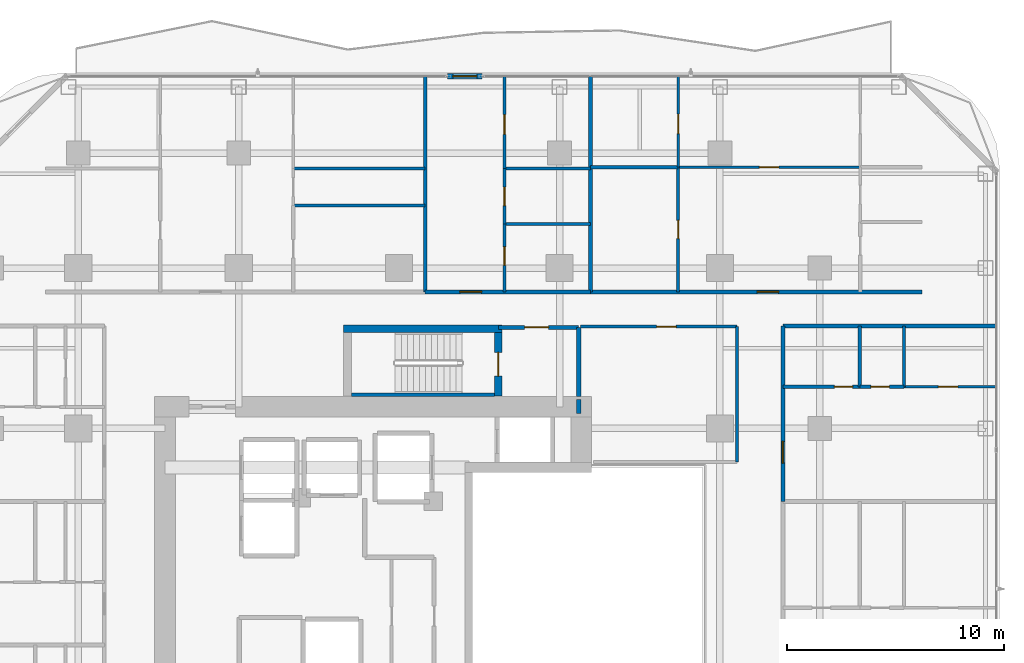
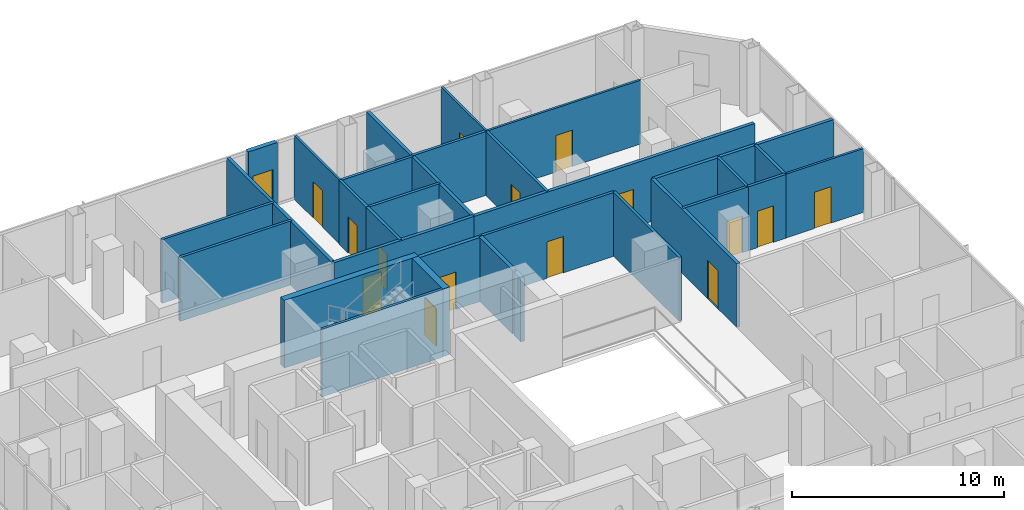
# One storey, part 22 of 29: 31 walls, 16 doors, 16 openings.
"""IFC4 building model written with IfcOpenShell, lengths in metres."""

import ifcopenshell
import ifcopenshell.guid

model = None  # the IFC model being written
_history = None  # IfcOwnerHistory: only IFC2X3 demands one
_inside = {}  # id of a spatial element -> (the spatial element, [elements in it])
_under = {}  # id of a project, library or spatial element -> (it, [spatial elements below it])
_declared = {}  # id of a project -> (the project, [libraries it declares])
_typed = {}  # id of a type object -> (the type object, [elements of that type])
_made_of = {}  # id of a material, layer set ... -> (it, [elements and type objects made of it])


def new_model(schema):
    """Start an empty IFC model of exactly this schema.

    Asked for "IFC4X3", IfcOpenShell would pick the latest addendum, in which some entities
    have other attributes; the version numbers below select the first issue.
    IFC2X3 requires an IfcOwnerHistory on every rooted entity: one is made here for all.
    """
    global model, _history
    if schema == "IFC4X3":
        model = ifcopenshell.file(schema_version=(4, 3, 0, 0))
    else:
        model = ifcopenshell.file(schema=schema)
    _inside.clear()
    _under.clear()
    _declared.clear()
    _typed.clear()
    _made_of.clear()
    _history = None
    if model.schema == "IFC2X3":
        org = make("IfcOrganization", Name="unknown")
        user = make(
            "IfcPersonAndOrganization",
            ThePerson=make("IfcPerson", FamilyName="unknown"),
            TheOrganization=org,
        )
        app = make(
            "IfcApplication",
            ApplicationDeveloper=org,
            Version="unknown",
            ApplicationFullName="unknown",
            ApplicationIdentifier="unknown",
        )
        _history = make(
            "IfcOwnerHistory",
            OwningUser=user,
            OwningApplication=app,
            ChangeAction="ADDED",
            CreationDate=0,
        )
    return model


def make(cls, **values):
    """One entity of the class cls with the attributes given. An attribute that is None is left unset."""
    return model.create_entity(
        cls, **{name: value for name, value in values.items() if value is not None}
    )


def rooted(cls, **values):
    """An entity with a GlobalId (a new one), such as an element, a storey or a relation."""
    return make(cls, GlobalId=ifcopenshell.guid.new(), OwnerHistory=_history, **values)


def si_unit(unit_type, name, prefix=None):
    """IfcSIUnit, for example si_unit("LENGTHUNIT", "METRE", prefix="MILLI")."""
    return make("IfcSIUnit", UnitType=unit_type, Prefix=prefix, Name=name)


def assignment(units):
    """IfcUnitAssignment: the units of a project."""
    return None if units is None else make("IfcUnitAssignment", Units=units)


def point(xyz):
    """IfcCartesianPoint."""
    return None if xyz is None else make("IfcCartesianPoint", Coordinates=xyz)


def direction(xyz):
    """IfcDirection."""
    return None if xyz is None else make("IfcDirection", DirectionRatios=xyz)


def frame(location, z_axis=None, x_axis=None):
    """IfcAxis2Placement3D, a coordinate frame: its origin and axes. An axis left out is left unset."""
    return make(
        "IfcAxis2Placement3D",
        Location=point(location),
        Axis=direction(z_axis),
        RefDirection=direction(x_axis),
    )


def frame_2d(location, x_axis=None):
    """IfcAxis2Placement2D, a coordinate frame in the plane: its origin and x axis."""
    return make(
        "IfcAxis2Placement2D", Location=point(location), RefDirection=direction(x_axis)
    )


def origin():
    """The frame at (0, 0, 0) with its axes left unset."""
    return frame((0.0, 0.0, 0.0))


def place(relative_to, where):
    """IfcLocalPlacement: puts the frame where relative to a parent placement (None: the world)."""
    return make(
        "IfcLocalPlacement", PlacementRelTo=relative_to, RelativePlacement=where
    )


def context(
    kind, dimensions, precision=None, world=None, true_north=None, identifier=None
):
    """IfcGeometricRepresentationContext, for example the 3D "Model" context."""
    return make(
        "IfcGeometricRepresentationContext",
        ContextIdentifier=identifier,
        ContextType=kind,
        CoordinateSpaceDimension=dimensions,
        Precision=precision,
        WorldCoordinateSystem=world,
        TrueNorth=true_north,
    )


def subcontext(parent, identifier, kind, view, scale=None):
    """IfcGeometricRepresentationSubContext, for example "Body" below "Model"."""
    return make(
        "IfcGeometricRepresentationSubContext",
        ContextIdentifier=identifier,
        ContextType=kind,
        ParentContext=parent,
        TargetScale=scale,
        TargetView=view,
    )


def project(units=None, contexts=None):
    """IfcProject with its units and contexts."""
    return rooted(
        "IfcProject",
        Name="project",
        RepresentationContexts=contexts,
        UnitsInContext=assignment(units),
    )


def spatial(cls, under=None, at=None, **own):
    """A site, building, storey or space (cls), placed at a placement, below another one or the project."""
    s = rooted(cls, ObjectPlacement=at, **own)
    if under is not None:
        _under.setdefault(under.id(), (under, []))[1].append(s)
    return s


def profile(cls, at=None, kind="AREA", **sizes):
    """A parametric profile (cls). Its sizes go by their IFC names, for example OverallWidth=200.0."""
    return make(cls, ProfileType=kind, Position=at, **sizes)


def rectangle(**sizes):
    """IfcRectangleProfileDef."""
    return profile("IfcRectangleProfileDef", **sizes)


def extrude(swept, where, along, depth):
    """IfcExtrudedAreaSolid: the profile swept, set in the frame where, extruded along a direction by depth."""
    return make(
        "IfcExtrudedAreaSolid",
        SweptArea=swept,
        Position=where,
        ExtrudedDirection=direction(along),
        Depth=depth,
    )


def shape(context_of_items, identifier, shape_type, items):
    """IfcShapeRepresentation: the items that make up one representation, for example the "Body"."""
    return make(
        "IfcShapeRepresentation",
        ContextOfItems=context_of_items,
        RepresentationIdentifier=identifier,
        RepresentationType=shape_type,
        Items=items,
    )


def material(Name=None, Category=None):
    """IfcMaterial."""
    return make("IfcMaterial", Name=Name, Category=Category)


def layer(
    of_material, thickness, ventilated=None, Name=None, Category=None, Priority=None
):
    """IfcMaterialLayer: one layer of a wall or slab, of a material (None: an air gap)."""
    return make(
        "IfcMaterialLayer",
        Material=of_material,
        LayerThickness=thickness,
        IsVentilated=ventilated,
        Name=Name,
        Category=Category,
        Priority=Priority,
    )


def layer_set(layers, Name=None):
    """IfcMaterialLayerSet."""
    return make("IfcMaterialLayerSet", MaterialLayers=layers, LayerSetName=Name)


def made_of(thing, what):
    """Note that an element or type object is made of a material, layer set ...; save() writes the relation."""
    if what is not None:
        _made_of.setdefault(what.id(), (what, []))[1].append(thing)
    return thing


def type_object(cls, material=None, **own):
    """A type object (cls), such as IfcWallType, which elements share."""
    return made_of(rooted(cls, **own), material)


def element(
    cls,
    number,
    at=None,
    inside=None,
    cuts=None,
    type_object=None,
    material=None,
    context=None,
    identifier="Body",
    shape_type=None,
    held_by="IfcProductDefinitionShape",
    body=None,
    shapes=None,
    **own,
):
    """One element of the class cls, such as IfcWall. Its Tag is "e" and its number.

    at: its placement. inside: the storey or other place that contains it. cuts: it is an
    opening in that element (IfcRelVoidsElement). A single representation is given by context,
    identifier, shape_type and body (its items); several are given by shapes. held_by: the class
    of the entity that holds the representations. save() writes the other relations.
    """
    e = rooted(cls, Tag="e%d" % number, ObjectPlacement=at, **own)
    if body is not None:
        shapes = [shape(context, identifier, shape_type, body)]
    if shapes is not None:
        e.Representation = make(held_by, Representations=shapes)
    if inside is not None:
        _inside.setdefault(inside.id(), (inside, []))[1].append(e)
    if cuts is not None:
        rooted(
            "IfcRelVoidsElement", RelatingBuildingElement=cuts, RelatedOpeningElement=e
        )
    if type_object is not None:
        _typed.setdefault(type_object.id(), (type_object, []))[1].append(e)
    return made_of(e, material)


def fill(opening, filler):
    """IfcRelFillsElement: the door or window that sits in an opening."""
    return rooted(
        "IfcRelFillsElement",
        RelatingOpeningElement=opening,
        RelatedBuildingElement=filler,
    )


def aggregate(whole, parts):
    """IfcRelAggregates: a whole, such as a stair, and the parts it consists of."""
    return rooted("IfcRelAggregates", RelatingObject=whole, RelatedObjects=parts)


def save(model, path):
    """Write the relations noted so far, then the file.

    IfcRelAggregates (storeys below a building ...), IfcRelContainedInSpatialStructure (elements
    in a storey), IfcRelDefinesByType, IfcRelAssociatesMaterial and IfcRelDeclares: one each for
    every whole, place, type object, material and project.
    """
    for whole, parts in _under.values():
        aggregate(whole, parts)
    for where, things in _inside.values():
        rooted(
            "IfcRelContainedInSpatialStructure",
            RelatedElements=things,
            RelatingStructure=where,
        )
    for kind, things in _typed.values():
        rooted("IfcRelDefinesByType", RelatedObjects=things, RelatingType=kind)
    for what, things in _made_of.values():
        rooted("IfcRelAssociatesMaterial", RelatedObjects=things, RelatingMaterial=what)
    for by, libraries in _declared.values():
        rooted("IfcRelDeclares", RelatingContext=by, RelatedDefinitions=libraries)
    model.write(path)


model = new_model("IFC4")

# Units and contexts
model_context = context("Model", 3, precision=1e-05, world=origin(), true_north=direction((0.0, 1.0)))
body_context = subcontext(model_context, "Body", "Model", "MODEL_VIEW")
ifc_project = project(units=[si_unit("LENGTHUNIT", "METRE"), si_unit("AREAUNIT", "SQUARE_METRE"), si_unit("VOLUMEUNIT", "CUBIC_METRE"), si_unit("PLANEANGLEUNIT", "RADIAN"), si_unit("MASSUNIT", "GRAM", prefix="KILO")], contexts=[model_context])

# Site, building, storey
site_placement = place(None, origin())
site = spatial("IfcSite", under=ifc_project, at=site_placement, CompositionType="ELEMENT")
building_placement = place(site_placement, origin())
building = spatial("IfcBuilding", under=site, at=building_placement, Name="Khorvyn Point Tower", CompositionType="ELEMENT")
storey_placement = place(building_placement, frame((0.0, 0.0, 144.60009765625)))
storey = spatial("IfcBuildingStorey", under=building, at=storey_placement, Name="L36", CompositionType="ELEMENT", Elevation=144.60009765625)

# Wall, opening, door
ifc_material_1 = material(Name="Double acoustic gypsum on twin steel stud", Category="steel")
ifc_layer_1 = layer(ifc_material_1, 0.179931640625)
ifc_layer_set_1 = layer_set([ifc_layer_1], Name="Acoustic Double-Stud Apartment Demising Wall 180")
wall_type_1 = type_object("IfcWallType", Name="Acoustic Double-Stud Apartment Demising Wall 180", PredefinedType="PARTITIONING", material=ifc_layer_set_1)
wall_1_placement = place(storey_placement, frame((1.2041015625, 13.699951171875, 0.0), z_axis=(0.0, 0.0, 1.0), x_axis=(1.0, 0.0, 0.0)))
wall_1 = element("IfcWall", 1, at=wall_1_placement, inside=storey, type_object=wall_type_1, Name="Wall", PredefinedType="PARTITIONING", context=body_context, shape_type="SweptSolid", body=[
    extrude(rectangle(XDim=7.615966796875, YDim=0.179931640625, at=frame_2d((3.80810546875, 0.0))), origin(), (0.0, 0.0, 1.0), 3.679931640625),
])
opening_1_placement = place(wall_1_placement, frame((1.59912109375, 0.0, 0.0)))
opening_1 = element("IfcOpeningElement", 2, at=opening_1_placement, cuts=wall_1, Name="Opening ID-AP60", PredefinedType="OPENING", context=body_context, shape_type="SweptSolid", body=[
    extrude(rectangle(XDim=1.0, YDim=2.199951171875, at=frame_2d((0.5, 1.10009765625))), frame((0.0, 0.099853515625, 0.0), z_axis=(0.0, -1.0, 0.0), x_axis=(1.0, 0.0, 0.0)), (0.0, 0.0, 1.0), 0.199951171875),
])
ifc_material_2 = material(Name="Engineered hardwood fire-rated leaf", Category="wood")
door_type_1 = type_object("IfcDoorType", Name="Acoustic Solid-Core Timber Apartment Entrance Door 1000x2200", OperationType="NOTDEFINED", PredefinedType="DOOR", material=ifc_material_2)
door_1_placement = place(opening_1_placement, origin())
door_1 = element("IfcDoor", 3, at=door_1_placement, inside=storey, type_object=door_type_1, Name="Door", OperationType="SINGLE_SWING_RIGHT", OverallHeight=2.199951171875, OverallWidth=1.0, PredefinedType="DOOR", context=body_context, shape_type="SweptSolid", body=[
    extrude(rectangle(XDim=1.0, YDim=2.199951171875, at=frame_2d((0.5, 1.10009765625))), frame((0.0, 0.02490234375, 0.0), z_axis=(0.0, -1.0, 0.0), x_axis=(1.0, 0.0, 0.0)), (0.0, 0.0, 1.0), 0.050048828125),
])
fill(opening_1, door_1)

wall_2_placement = place(storey_placement, frame((8.820068359375, 13.699951171875, 0.0), z_axis=(0.0, 0.0, 1.0), x_axis=(1.0, 0.0, 0.0)))
wall_2 = element("IfcWall", 4, at=wall_2_placement, inside=storey, type_object=wall_type_1, Name="Wall", PredefinedType="PARTITIONING", context=body_context, shape_type="SweptSolid", body=[
    extrude(rectangle(XDim=15.300048828125, YDim=0.179931640625, at=frame_2d((7.64990234375, 0.0))), origin(), (0.0, 0.0, 1.0), 3.679931640625),
])
opening_2_placement = place(wall_2_placement, frame((7.687744140625, 0.0, 0.0)))
opening_2 = element("IfcOpeningElement", 5, at=opening_2_placement, cuts=wall_2, Name="Opening ID-AP60", PredefinedType="OPENING", context=body_context, shape_type="SweptSolid", body=[
    extrude(rectangle(XDim=1.0, YDim=2.199951171875, at=frame_2d((0.5, 1.10009765625))), frame((0.0, 0.099853515625, 0.0), z_axis=(0.0, -1.0, 0.0), x_axis=(1.0, 0.0, 0.0)), (0.0, 0.0, 1.0), 0.199951171875),
])
door_2_placement = place(opening_2_placement, origin())
door_2 = element("IfcDoor", 6, at=door_2_placement, inside=storey, type_object=door_type_1, Name="Door", OperationType="SINGLE_SWING_RIGHT", OverallHeight=2.199951171875, OverallWidth=1.0, PredefinedType="DOOR", context=body_context, shape_type="SweptSolid", body=[
    extrude(rectangle(XDim=1.0, YDim=2.199951171875, at=frame_2d((0.5, 1.10009765625))), frame((0.0, 0.02490234375, 0.0), z_axis=(0.0, -1.0, 0.0), x_axis=(1.0, 0.0, 0.0)), (0.0, 0.0, 1.0), 0.050048828125),
])
fill(opening_2, door_2)

wall_3_placement = place(storey_placement, frame((17.699951171875, 4.0400390625, 0.0), z_axis=(0.0, 0.0, 1.0), x_axis=(0.0, 1.0, 0.0)))
wall_3 = element("IfcWall", 7, at=wall_3_placement, inside=storey, type_object=wall_type_1, Name="Wall", PredefinedType="PARTITIONING", context=body_context, shape_type="SweptSolid", body=[
    extrude(rectangle(XDim=8.080078125, YDim=0.179931640625, at=frame_2d((4.0400390625, 0.0))), origin(), (0.0, 0.0, 1.0), 3.679931640625),
])
opening_3_placement = place(wall_3_placement, frame((1.760986328125, 0.0, 0.0)))
opening_3 = element("IfcOpeningElement", 8, at=opening_3_placement, cuts=wall_3, Name="Opening ID-AP60", PredefinedType="OPENING", context=body_context, shape_type="SweptSolid", body=[
    extrude(rectangle(XDim=1.0, YDim=2.199951171875, at=frame_2d((0.5, 1.10009765625))), frame((0.0, 0.099853515625, 0.0), z_axis=(0.0, -1.0, 0.0), x_axis=(1.0, 0.0, 0.0)), (0.0, 0.0, 1.0), 0.199951171875),
])
door_3_placement = place(opening_3_placement, origin())
door_3 = element("IfcDoor", 9, at=door_3_placement, inside=storey, type_object=door_type_1, Name="Door", OperationType="SINGLE_SWING_LEFT", OverallHeight=2.199951171875, OverallWidth=1.0, PredefinedType="DOOR", context=body_context, shape_type="SweptSolid", body=[
    extrude(rectangle(XDim=1.0, YDim=2.199951171875, at=frame_2d((0.5, 1.10009765625))), frame((0.0, 0.02490234375, 0.0), z_axis=(0.0, -1.0, 0.0), x_axis=(1.0, 0.0, 0.0)), (0.0, 0.0, 1.0), 0.050048828125),
])
fill(opening_3, door_3)

# Walls
for number, where, z_axis, x_axis, name in (
    (10, (1.2041015625, 13.699951171875, 0.0), (0.0, 0.0, 1.0), (0.0, 1.0, 0.0), "Wall"),
    (11, (8.820068359375, 13.699951171875, 0.0), (0.0, 0.0, 1.0), (0.0, 1.0, 0.0), "Wall"),
):
    element("IfcWall", number, at=place(storey_placement, frame(where, z_axis=z_axis, x_axis=x_axis)), inside=storey, type_object=wall_type_1, Name=name, PredefinedType="PARTITIONING", context=body_context, shape_type="SweptSolid", body=[
        extrude(rectangle(XDim=9.929931640625, YDim=0.179931640625, at=frame_2d((4.96484375, 0.0))), origin(), (0.0, 0.0, 1.0), 3.679931640625),
    ])
wall_4_placement = place(storey_placement, frame((17.699951171875, 12.1201171875, 0.0), z_axis=(0.0, 0.0, 1.0), x_axis=(1.0, 0.0, 0.0)))
element("IfcWall", 12, at=wall_4_placement, inside=storey, type_object=wall_type_1, Name="Wall", PredefinedType="PARTITIONING", context=body_context, shape_type="SweptSolid", body=[
    extrude(rectangle(XDim=9.830078125, YDim=0.179931640625, at=frame_2d((4.9150390625, 0.0))), origin(), (0.0, 0.0, 1.0), 3.679931640625),
])

# Wall, opening, door
ifc_material_3 = material(Name="Pale anodised aluminium rainscreen on steel stud", Category="steel")
ifc_layer_2 = layer(ifc_material_3, 0.239990234375)
ifc_layer_set_2 = layer_set([ifc_layer_2], Name="Anodised Aluminium Insulated Corner Spandrel Wall 240")
wall_type_2 = type_object("IfcWallType", Name="Anodised Aluminium Insulated Corner Spandrel Wall 240", PredefinedType="SOLIDWALL", material=ifc_layer_set_2)
wall_5_placement = place(storey_placement, frame((2.241943359375, 23.64990234375, 0.0), z_axis=(0.0, 0.0, 1.0), x_axis=(1.0, 0.0, 0.0)))
wall_5 = element("IfcWall", 13, at=wall_5_placement, inside=storey, type_object=wall_type_2, Name="L36 North Outdoor Threshold Wall", PredefinedType="SOLIDWALL", context=body_context, shape_type="SweptSolid", body=[
    extrude(rectangle(XDim=1.580078125, YDim=0.239990234375, at=frame_2d((0.7900390625, 0.0))), origin(), (0.0, 0.0, 1.0), 3.679931640625),
])
opening_4_placement = place(wall_5_placement, frame((0.239990234375, 0.0, 0.0)))
opening_4 = element("IfcOpeningElement", 14, at=opening_4_placement, cuts=wall_5, Name="Opening BD-1122", PredefinedType="OPENING", context=body_context, shape_type="SweptSolid", body=[
    extrude(rectangle(XDim=1.10009765625, YDim=2.199951171875, at=frame_2d((0.550048828125, 1.10009765625))), frame((0.0, 0.1298828125, 0.0), z_axis=(0.0, -1.0, 0.0), x_axis=(1.0, 0.0, 0.0)), (0.0, 0.0, 1.0), 0.260009765625),
])
ifc_material_4 = material(Name="Anodised aluminium 6063-T6 and laminated Low-E glass", Category="aluminium")
door_type_2 = type_object("IfcDoorType", Name="Glazed Balcony and Terrace Threshold Door 1100x2200", OperationType="NOTDEFINED", PredefinedType="DOOR", material=ifc_material_4)
door_4_placement = place(opening_4_placement, origin())
door_4 = element("IfcDoor", 15, at=door_4_placement, inside=storey, type_object=door_type_2, Name="L36 North Glazed Balcony Outdoor Door", OperationType="SINGLE_SWING_LEFT", OverallHeight=2.199951171875, OverallWidth=1.10009765625, PredefinedType="DOOR", context=body_context, shape_type="SweptSolid", body=[
    extrude(rectangle(XDim=1.10009765625, YDim=2.199951171875, at=frame_2d((0.550048828125, 1.10009765625))), frame((0.0, 0.02490234375, 0.0), z_axis=(0.0, -1.0, 0.0), x_axis=(1.0, 0.0, 0.0)), (0.0, 0.0, 1.0), 0.050048828125),
])
fill(opening_4, door_4)

ifc_material_5 = material(Name="Concrete C40/50", Category="concrete")
ifc_layer_3 = layer(ifc_material_5, 0.199951171875)
ifc_layer_set_3 = layer_set([ifc_layer_3], Name="Concrete C40/50 Fire-Lobby Compartment Wall 200")
wall_type_3 = type_object("IfcWallType", Name="Concrete C40/50 Fire-Lobby Compartment Wall 200", PredefinedType="SOLIDWALL", material=ifc_layer_set_3)
wall_6_placement = place(storey_placement, frame((4.580078125, 12.06005859375, 0.0), z_axis=(0.0, 0.0, 1.0), x_axis=(1.0, 0.0, 0.0)))
wall_6 = element("IfcWall", 16, at=wall_6_placement, inside=storey, type_object=wall_type_3, Name="Wall", PredefinedType="SOLIDWALL", context=body_context, shape_type="SweptSolid", body=[
    extrude(rectangle(XDim=3.699951171875, YDim=0.199951171875, at=frame_2d((1.85009765625, 0.0))), origin(), (0.0, 0.0, 1.0), 3.679931640625),
])
opening_5_placement = place(wall_6_placement, frame((1.21240234375, 0.0, 0.0)))
opening_5 = element("IfcOpeningElement", 17, at=opening_5_placement, cuts=wall_6, Name="Opening ID-FL90", PredefinedType="OPENING", context=body_context, shape_type="SweptSolid", body=[
    extrude(rectangle(XDim=1.10009765625, YDim=2.14990234375, at=frame_2d((0.550048828125, 1.074951171875))), frame((0.0, 0.10986328125, 0.0), z_axis=(0.0, -1.0, 0.0), x_axis=(1.0, 0.0, 0.0)), (0.0, 0.0, 1.0), 0.219970703125),
])
ifc_material_6 = material(Name="Galvanised powder-coated steel", Category="steel")
door_type_3 = type_object("IfcDoorType", Name="Fire-Rated Steel Lobby and Stair Door 1100x2150", OperationType="NOTDEFINED", PredefinedType="DOOR", material=ifc_material_6)
door_5_placement = place(opening_5_placement, origin())
door_5 = element("IfcDoor", 18, at=door_5_placement, inside=storey, type_object=door_type_3, Name="Door", OperationType="SINGLE_SWING_RIGHT", OverallHeight=2.14990234375, OverallWidth=1.10009765625, PredefinedType="DOOR", context=body_context, shape_type="SweptSolid", body=[
    extrude(rectangle(XDim=1.10009765625, YDim=2.14990234375, at=frame_2d((0.550048828125, 1.074951171875))), frame((0.0, 0.02490234375, 0.0), z_axis=(0.0, -1.0, 0.0), x_axis=(1.0, 0.0, 0.0)), (0.0, 0.0, 1.0), 0.050048828125),
])
fill(opening_5, door_5)

# Walls
wall_7_placement = place(storey_placement, frame((8.280029296875, 8.875, 0.0), z_axis=(0.0, 0.0, 1.0), x_axis=(0.0, 1.0, 0.0)))
element("IfcWall", 19, at=wall_7_placement, inside=storey, type_object=wall_type_3, Name="Wall", PredefinedType="SOLIDWALL", context=body_context, shape_type="SweptSolid", body=[
    extrude(rectangle(XDim=3.18505859375, YDim=0.199951171875, at=frame_2d((1.592529296875, 0.0))), origin(), (0.0, 0.0, 1.0), 3.679931640625),
])
wall_8_placement = place(storey_placement, frame((8.280029296875, 8.10009765625, 0.0), z_axis=(0.0, 0.0, 1.0), x_axis=(0.0, 1.0, 0.0)))
element("IfcWall", 20, at=wall_8_placement, inside=storey, type_object=wall_type_3, Name="Wall", PredefinedType="SOLIDWALL", context=body_context, shape_type="SweptSolid", body=[
    extrude(rectangle(XDim=0.625, YDim=0.199951171875, at=frame_2d((0.3125, 0.0))), origin(), (0.0, 0.0, 1.0), 3.679931640625),
])
ifc_layer_4 = layer(ifc_material_5, 0.25)
ifc_layer_set_4 = layer_set([ifc_layer_4], Name="Concrete C40/50 Stair Inner Cheek Structural Wall 250")
wall_type_4 = type_object("IfcWallType", Name="Concrete C40/50 Stair Inner Cheek Structural Wall 250", PredefinedType="SHEAR", material=ifc_layer_set_4)
wall_9_placement = place(storey_placement, frame((-2.199951171875, 8.949951171875, 0.0), z_axis=(0.0, 0.0, 1.0), x_axis=(1.0, 0.0, 0.0)))
element("IfcWall", 21, at=wall_9_placement, inside=storey, type_object=wall_type_4, Name="Wall", PredefinedType="SHEAR", context=body_context, shape_type="SweptSolid", body=[
    extrude(rectangle(XDim=6.599853515625, YDim=0.14990234375, at=frame_2d((3.2998046875, 0.0))), origin(), (0.0, 0.0, 1.0), 3.89990234375),
])
ifc_layer_5 = layer(ifc_material_5, 0.35009765625)
ifc_layer_set_5 = layer_set([ifc_layer_5], Name="Concrete C40/50 Stair Shaft Structural Wall 350")
wall_type_5 = type_object("IfcWallType", Name="Concrete C40/50 Stair Shaft Structural Wall 350", PredefinedType="SHEAR", material=ifc_layer_set_5)
wall_10_placement = place(storey_placement, frame((-2.554931640625, 12.0, 0.0), z_axis=(0.0, 0.0, 1.0), x_axis=(1.0, 0.0, 0.0)))
element("IfcWall", 22, at=wall_10_placement, inside=storey, type_object=wall_type_5, Name="L36 ST-02 North Shaft Wall", PredefinedType="SHEAR", context=body_context, shape_type="SweptSolid", body=[
    extrude(rectangle(XDim=7.309814453125, YDim=0.35009765625, at=frame_2d((3.65478515625, 0.0))), origin(), (0.0, 0.0, 1.0), 3.89990234375),
])

# Wall, opening, door
wall_11_placement = place(storey_placement, frame((4.580078125, 11.824951171875, 0.0), z_axis=(0.0, 0.0, 1.0), x_axis=(0.0, -1.0, 0.0)))
wall_11 = element("IfcWall", 23, at=wall_11_placement, inside=storey, type_object=wall_type_5, Name="L36 ST-02 East Landing Door Wall", PredefinedType="SHEAR", context=body_context, shape_type="SweptSolid", body=[
    extrude(rectangle(XDim=2.925048828125, YDim=0.35009765625, at=frame_2d((1.46240234375, 0.0))), origin(), (0.0, 0.0, 1.0), 3.89990234375),
])
opening_6_placement = place(wall_11_placement, frame((0.91259765625, 0.0, 0.0)))
opening_6 = element("IfcOpeningElement", 24, at=opening_6_placement, cuts=wall_11, Name="Opening ID-FL90", PredefinedType="OPENING", context=body_context, shape_type="SweptSolid", body=[
    extrude(rectangle(XDim=1.10009765625, YDim=2.14990234375, at=frame_2d((0.550048828125, 1.074951171875))), frame((0.0, 0.18505859375, 0.0), z_axis=(0.0, -1.0, 0.0), x_axis=(1.0, 0.0, 0.0)), (0.0, 0.0, 1.0), 0.3701171875),
])
door_6_placement = place(opening_6_placement, origin())
door_6 = element("IfcDoor", 25, at=door_6_placement, inside=storey, type_object=door_type_3, Name="L36 ST-02 Smokeproof Landing Door", OperationType="SINGLE_SWING_LEFT", OverallHeight=2.14990234375, OverallWidth=1.10009765625, PredefinedType="DOOR", context=body_context, shape_type="SweptSolid", body=[
    extrude(rectangle(XDim=1.10009765625, YDim=2.14990234375, at=frame_2d((0.550048828125, 1.074951171875))), frame((0.0, 0.02490234375, 0.0), z_axis=(0.0, -1.0, 0.0), x_axis=(1.0, 0.0, 0.0)), (0.0, 0.0, 1.0), 0.050048828125),
])
fill(opening_6, door_6)

ifc_material_7 = material(Name="Gypsum plasterboard on steel stud", Category="steel")
ifc_layer_6 = layer(ifc_material_7, 0.1201171875)
ifc_layer_set_6 = layer_set([ifc_layer_6], Name="Gypsum Acoustic Stud Room Partition Wall 120")
wall_type_6 = type_object("IfcWallType", Name="Gypsum Acoustic Stud Room Partition Wall 120", PredefinedType="PARTITIONING", material=ifc_layer_set_6)
wall_12_placement = place(storey_placement, frame((4.860107421875, 19.389892578125, 0.0), z_axis=(0.0, 0.0, 1.0), x_axis=(0.0, 1.0, 0.0)))
wall_12 = element("IfcWall", 26, at=wall_12_placement, inside=storey, type_object=wall_type_6, Name="Wall", PredefinedType="PARTITIONING", context=body_context, shape_type="SweptSolid", body=[
    extrude(rectangle(XDim=4.239990234375, YDim=0.1201171875, at=frame_2d((2.1201171875, 0.0))), origin(), (0.0, 0.0, 1.0), 3.679931640625),
])
opening_7_placement = place(wall_12_placement, frame((1.581298828125, 0.0, 0.0)))
opening_7 = element("IfcOpeningElement", 27, at=opening_7_placement, cuts=wall_12, Name="Opening ID-RM90", PredefinedType="OPENING", context=body_context, shape_type="SweptSolid", body=[
    extrude(rectangle(XDim=0.89990234375, YDim=2.10009765625, at=frame_2d((0.449951171875, 1.050048828125))), frame((0.0, 0.070068359375, 0.0), z_axis=(0.0, -1.0, 0.0), x_axis=(1.0, 0.0, 0.0)), (0.0, 0.0, 1.0), 0.14013671875),
])
ifc_material_8 = material(Name="Engineered oak veneer timber", Category="wood")
door_type_4 = type_object("IfcDoorType", Name="Flush Engineered Timber Room Door 900x2100", OperationType="NOTDEFINED", PredefinedType="DOOR", material=ifc_material_8)
door_7_placement = place(opening_7_placement, origin())
door_7 = element("IfcDoor", 28, at=door_7_placement, inside=storey, type_object=door_type_4, Name="Door", OperationType="SINGLE_SWING_LEFT", OverallHeight=2.10009765625, OverallWidth=0.89990234375, PredefinedType="DOOR", context=body_context, shape_type="SweptSolid", body=[
    extrude(rectangle(XDim=0.89990234375, YDim=2.10009765625, at=frame_2d((0.449951171875, 1.050048828125))), frame((0.0, 0.02490234375, 0.0), z_axis=(0.0, -1.0, 0.0), x_axis=(1.0, 0.0, 0.0)), (0.0, 0.0, 1.0), 0.050048828125),
])
fill(opening_7, door_7)

wall_13_placement = place(storey_placement, frame((12.865966796875, 19.455078125, 0.0), z_axis=(0.0, 0.0, 1.0), x_axis=(1.0, 0.0, 0.0)))
wall_13 = element("IfcWall", 29, at=wall_13_placement, inside=storey, type_object=wall_type_6, Name="Wall", PredefinedType="PARTITIONING", context=body_context, shape_type="SweptSolid", body=[
    extrude(rectangle(XDim=8.404052734375, YDim=0.1201171875, at=frame_2d((4.2021484375, 0.0))), origin(), (0.0, 0.0, 1.0), 3.679931640625),
])
opening_8_placement = place(wall_13_placement, frame((3.751953125, 0.0, 0.0)))
opening_8 = element("IfcOpeningElement", 30, at=opening_8_placement, cuts=wall_13, Name="Opening ID-RM90", PredefinedType="OPENING", context=body_context, shape_type="SweptSolid", body=[
    extrude(rectangle(XDim=0.89990234375, YDim=2.10009765625, at=frame_2d((0.449951171875, 1.050048828125))), frame((0.0, 0.070068359375, 0.0), z_axis=(0.0, -1.0, 0.0), x_axis=(1.0, 0.0, 0.0)), (0.0, 0.0, 1.0), 0.14013671875),
])
door_8_placement = place(opening_8_placement, origin())
door_8 = element("IfcDoor", 31, at=door_8_placement, inside=storey, type_object=door_type_4, Name="Door", OperationType="SINGLE_SWING_LEFT", OverallHeight=2.10009765625, OverallWidth=0.89990234375, PredefinedType="DOOR", context=body_context, shape_type="SweptSolid", body=[
    extrude(rectangle(XDim=0.89990234375, YDim=2.10009765625, at=frame_2d((0.449951171875, 1.050048828125))), frame((0.0, 0.02490234375, 0.0), z_axis=(0.0, -1.0, 0.0), x_axis=(1.0, 0.0, 0.0)), (0.0, 0.0, 1.0), 0.050048828125),
])
fill(opening_8, door_8)

wall_14_placement = place(storey_placement, frame((12.865966796875, 19.455078125, 0.0), z_axis=(0.0, 0.0, 1.0), x_axis=(0.0, 1.0, 0.0)))
wall_14 = element("IfcWall", 32, at=wall_14_placement, inside=storey, type_object=wall_type_6, Name="Wall", PredefinedType="PARTITIONING", context=body_context, shape_type="SweptSolid", body=[
    extrude(rectangle(XDim=4.1748046875, YDim=0.1201171875, at=frame_2d((2.08740234375, 0.0))), origin(), (0.0, 0.0, 1.0), 3.679931640625),
])
opening_9_placement = place(wall_14_placement, frame((1.550537109375, 0.0, 0.0)))
opening_9 = element("IfcOpeningElement", 33, at=opening_9_placement, cuts=wall_14, Name="Opening ID-RM90", PredefinedType="OPENING", context=body_context, shape_type="SweptSolid", body=[
    extrude(rectangle(XDim=0.89990234375, YDim=2.10009765625, at=frame_2d((0.449951171875, 1.050048828125))), frame((0.0, 0.070068359375, 0.0), z_axis=(0.0, -1.0, 0.0), x_axis=(1.0, 0.0, 0.0)), (0.0, 0.0, 1.0), 0.14013671875),
])
door_9_placement = place(opening_9_placement, origin())
door_9 = element("IfcDoor", 34, at=door_9_placement, inside=storey, type_object=door_type_4, Name="Door", OperationType="SINGLE_SWING_LEFT", OverallHeight=2.10009765625, OverallWidth=0.89990234375, PredefinedType="DOOR", context=body_context, shape_type="SweptSolid", body=[
    extrude(rectangle(XDim=0.89990234375, YDim=2.10009765625, at=frame_2d((0.449951171875, 1.050048828125))), frame((0.0, 0.02490234375, 0.0), z_axis=(0.0, -1.0, 0.0), x_axis=(1.0, 0.0, 0.0)), (0.0, 0.0, 1.0), 0.050048828125),
])
fill(opening_9, door_9)

wall_15_placement = place(storey_placement, frame((23.2900390625, 9.320068359375, 0.0), z_axis=(0.0, 0.0, 1.0), x_axis=(1.0, 0.0, 0.0)))
wall_15 = element("IfcWall", 35, at=wall_15_placement, inside=storey, type_object=wall_type_6, Name="Wall", PredefinedType="PARTITIONING", context=body_context, shape_type="SweptSolid", body=[
    extrude(rectangle(XDim=4.239990234375, YDim=0.1201171875, at=frame_2d((2.1201171875, 0.0))), origin(), (0.0, 0.0, 1.0), 3.679931640625),
])
opening_10_placement = place(wall_15_placement, frame((1.581298828125, 0.0, 0.0)))
opening_10 = element("IfcOpeningElement", 36, at=opening_10_placement, cuts=wall_15, Name="Opening ID-RM90", PredefinedType="OPENING", context=body_context, shape_type="SweptSolid", body=[
    extrude(rectangle(XDim=0.89990234375, YDim=2.10009765625, at=frame_2d((0.449951171875, 1.050048828125))), frame((0.0, 0.070068359375, 0.0), z_axis=(0.0, -1.0, 0.0), x_axis=(1.0, 0.0, 0.0)), (0.0, 0.0, 1.0), 0.14013671875),
])
door_10_placement = place(opening_10_placement, origin())
door_10 = element("IfcDoor", 37, at=door_10_placement, inside=storey, type_object=door_type_4, Name="Door", OperationType="SINGLE_SWING_RIGHT", OverallHeight=2.10009765625, OverallWidth=0.89990234375, PredefinedType="DOOR", context=body_context, shape_type="SweptSolid", body=[
    extrude(rectangle(XDim=0.89990234375, YDim=2.10009765625, at=frame_2d((0.449951171875, 1.050048828125))), frame((0.0, 0.02490234375, 0.0), z_axis=(0.0, -1.0, 0.0), x_axis=(1.0, 0.0, 0.0)), (0.0, 0.0, 1.0), 0.050048828125),
])
fill(opening_10, door_10)

ifc_material_9 = material(Name="Moisture-resistant gypsum and cement board", Category="gypsum")
ifc_layer_7 = layer(ifc_material_9, 0.14990234375)
ifc_layer_set_7 = layer_set([ifc_layer_7], Name="Moisture-Resistant Wet-Room Partition Wall 150")
wall_type_7 = type_object("IfcWallType", Name="Moisture-Resistant Wet-Room Partition Wall 150", PredefinedType="PARTITIONING", material=ifc_layer_set_7)
wall_16_placement = place(storey_placement, frame((8.360107421875, 12.10009765625, 0.0), z_axis=(0.0, 0.0, 1.0), x_axis=(1.0, 0.0, 0.0)))
wall_16 = element("IfcWall", 38, at=wall_16_placement, inside=storey, type_object=wall_type_7, Name="Wall", PredefinedType="PARTITIONING", context=body_context, shape_type="SweptSolid", body=[
    extrude(rectangle(XDim=7.219970703125, YDim=0.14990234375, at=frame_2d((3.60986328125, 0.0))), origin(), (0.0, 0.0, 1.0), 3.679931640625),
])
opening_11_placement = place(wall_16_placement, frame((3.512939453125, 0.0, 0.0)))
opening_11 = element("IfcOpeningElement", 39, at=opening_11_placement, cuts=wall_16, Name="Opening ID-RM90", PredefinedType="OPENING", context=body_context, shape_type="SweptSolid", body=[
    extrude(rectangle(XDim=0.89990234375, YDim=2.10009765625, at=frame_2d((0.449951171875, 1.050048828125))), frame((0.0, 0.0849609375, 0.0), z_axis=(0.0, -1.0, 0.0), x_axis=(1.0, 0.0, 0.0)), (0.0, 0.0, 1.0), 0.169921875),
])
door_11_placement = place(opening_11_placement, origin())
door_11 = element("IfcDoor", 40, at=door_11_placement, inside=storey, type_object=door_type_4, Name="Door", OperationType="SINGLE_SWING_LEFT", OverallHeight=2.10009765625, OverallWidth=0.89990234375, PredefinedType="DOOR", context=body_context, shape_type="SweptSolid", body=[
    extrude(rectangle(XDim=0.89990234375, YDim=2.10009765625, at=frame_2d((0.449951171875, 1.050048828125))), frame((0.0, 0.02490234375, 0.0), z_axis=(0.0, -1.0, 0.0), x_axis=(1.0, 0.0, 0.0)), (0.0, 0.0, 1.0), 0.050048828125),
])
fill(opening_11, door_11)

wall_17_placement = place(storey_placement, frame((4.860107421875, 13.699951171875, 0.0), z_axis=(0.0, 0.0, 1.0), x_axis=(0.0, 1.0, 0.0)))
wall_17 = element("IfcWall", 41, at=wall_17_placement, inside=storey, type_object=wall_type_7, Name="Wall", PredefinedType="PARTITIONING", context=body_context, shape_type="SweptSolid", body=[
    extrude(rectangle(XDim=3.129150390625, YDim=0.14990234375, at=frame_2d((1.564453125, 0.0))), origin(), (0.0, 0.0, 1.0), 3.679931640625),
])
opening_12_placement = place(wall_17_placement, frame((1.228515625, 0.0, 0.0)))
opening_12 = element("IfcOpeningElement", 42, at=opening_12_placement, cuts=wall_17, Name="Opening ID-WC85", PredefinedType="OPENING", context=body_context, shape_type="SweptSolid", body=[
    extrude(rectangle(XDim=0.85009765625, YDim=2.10009765625, at=frame_2d((0.425048828125, 1.050048828125))), frame((0.0, 0.0849609375, 0.0), z_axis=(0.0, -1.0, 0.0), x_axis=(1.0, 0.0, 0.0)), (0.0, 0.0, 1.0), 0.169921875),
])
ifc_material_10 = material(Name="High-pressure laminate on moisture-resistant core", Category="wood")
door_type_5 = type_object("IfcDoorType", Name="Moisture-Resistant Accessible Washroom Door 850x2100", OperationType="NOTDEFINED", PredefinedType="DOOR", material=ifc_material_10)
door_12_placement = place(opening_12_placement, origin())
door_12 = element("IfcDoor", 43, at=door_12_placement, inside=storey, type_object=door_type_5, Name="Door", OperationType="SINGLE_SWING_LEFT", OverallHeight=2.10009765625, OverallWidth=0.85009765625, PredefinedType="DOOR", context=body_context, shape_type="SweptSolid", body=[
    extrude(rectangle(XDim=0.85009765625, YDim=2.10009765625, at=frame_2d((0.425048828125, 1.050048828125))), frame((0.0, 0.02490234375, 0.0), z_axis=(0.0, -1.0, 0.0), x_axis=(1.0, 0.0, 0.0)), (0.0, 0.0, 1.0), 0.050048828125),
])
fill(opening_12, door_12)

wall_18_placement = place(storey_placement, frame((4.860107421875, 16.8291015625, 0.0), z_axis=(0.0, 0.0, 1.0), x_axis=(0.0, 1.0, 0.0)))
wall_18 = element("IfcWall", 44, at=wall_18_placement, inside=storey, type_object=wall_type_7, Name="Wall", PredefinedType="PARTITIONING", context=body_context, shape_type="SweptSolid", body=[
    extrude(rectangle(XDim=2.560791015625, YDim=0.14990234375, at=frame_2d((1.2802734375, 0.0))), origin(), (0.0, 0.0, 1.0), 3.679931640625),
])
opening_13_placement = place(wall_18_placement, frame((0.85546875, 0.0, 0.0)))
opening_13 = element("IfcOpeningElement", 45, at=opening_13_placement, cuts=wall_18, Name="Opening ID-WC85", PredefinedType="OPENING", context=body_context, shape_type="SweptSolid", body=[
    extrude(rectangle(XDim=0.85009765625, YDim=2.10009765625, at=frame_2d((0.425048828125, 1.050048828125))), frame((0.0, 0.0849609375, 0.0), z_axis=(0.0, -1.0, 0.0), x_axis=(1.0, 0.0, 0.0)), (0.0, 0.0, 1.0), 0.169921875),
])
door_13_placement = place(opening_13_placement, origin())
door_13 = element("IfcDoor", 46, at=door_13_placement, inside=storey, type_object=door_type_5, Name="Door", OperationType="SINGLE_SWING_RIGHT", OverallHeight=2.10009765625, OverallWidth=0.85009765625, PredefinedType="DOOR", context=body_context, shape_type="SweptSolid", body=[
    extrude(rectangle(XDim=0.85009765625, YDim=2.10009765625, at=frame_2d((0.425048828125, 1.050048828125))), frame((0.0, 0.02490234375, 0.0), z_axis=(0.0, -1.0, 0.0), x_axis=(1.0, 0.0, 0.0)), (0.0, 0.0, 1.0), 0.050048828125),
])
fill(opening_13, door_13)

wall_19_placement = place(storey_placement, frame((12.865966796875, 13.699951171875, 0.0), z_axis=(0.0, 0.0, 1.0), x_axis=(0.0, 1.0, 0.0)))
wall_19 = element("IfcWall", 47, at=wall_19_placement, inside=storey, type_object=wall_type_7, Name="Wall", PredefinedType="PARTITIONING", context=body_context, shape_type="SweptSolid", body=[
    extrude(rectangle(XDim=5.755126953125, YDim=0.14990234375, at=frame_2d((2.87744140625, 0.0))), origin(), (0.0, 0.0, 1.0), 3.679931640625),
])
opening_14_placement = place(wall_19_placement, frame((2.452392578125, 0.0, 0.0)))
opening_14 = element("IfcOpeningElement", 48, at=opening_14_placement, cuts=wall_19, Name="Opening ID-WC85", PredefinedType="OPENING", context=body_context, shape_type="SweptSolid", body=[
    extrude(rectangle(XDim=0.85009765625, YDim=2.10009765625, at=frame_2d((0.425048828125, 1.050048828125))), frame((0.0, 0.0849609375, 0.0), z_axis=(0.0, -1.0, 0.0), x_axis=(1.0, 0.0, 0.0)), (0.0, 0.0, 1.0), 0.169921875),
])
door_14_placement = place(opening_14_placement, origin())
door_14 = element("IfcDoor", 49, at=door_14_placement, inside=storey, type_object=door_type_5, Name="Door", OperationType="SINGLE_SWING_RIGHT", OverallHeight=2.10009765625, OverallWidth=0.85009765625, PredefinedType="DOOR", context=body_context, shape_type="SweptSolid", body=[
    extrude(rectangle(XDim=0.85009765625, YDim=2.10009765625, at=frame_2d((0.425048828125, 1.050048828125))), frame((0.0, 0.02490234375, 0.0), z_axis=(0.0, -1.0, 0.0), x_axis=(1.0, 0.0, 0.0)), (0.0, 0.0, 1.0), 0.050048828125),
])
fill(opening_14, door_14)

wall_20_placement = place(storey_placement, frame((17.699951171875, 9.320068359375, 0.0), z_axis=(0.0, 0.0, 1.0), x_axis=(1.0, 0.0, 0.0)))
wall_20 = element("IfcWall", 50, at=wall_20_placement, inside=storey, type_object=wall_type_7, Name="Wall", PredefinedType="PARTITIONING", context=body_context, shape_type="SweptSolid", body=[
    extrude(rectangle(XDim=3.552001953125, YDim=0.14990234375, at=frame_2d((1.77587890625, 0.0))), origin(), (0.0, 0.0, 1.0), 3.679931640625),
])
opening_15_placement = place(wall_20_placement, frame((2.371826171875, 0.0, 0.0)))
opening_15 = element("IfcOpeningElement", 51, at=opening_15_placement, cuts=wall_20, Name="Opening ID-WC85", PredefinedType="OPENING", context=body_context, shape_type="SweptSolid", body=[
    extrude(rectangle(XDim=0.85009765625, YDim=2.10009765625, at=frame_2d((0.425048828125, 1.050048828125))), frame((0.0, 0.0849609375, 0.0), z_axis=(0.0, -1.0, 0.0), x_axis=(1.0, 0.0, 0.0)), (0.0, 0.0, 1.0), 0.169921875),
])
door_15_placement = place(opening_15_placement, origin())
door_15 = element("IfcDoor", 52, at=door_15_placement, inside=storey, type_object=door_type_5, Name="Door", OperationType="SINGLE_SWING_RIGHT", OverallHeight=2.10009765625, OverallWidth=0.85009765625, PredefinedType="DOOR", context=body_context, shape_type="SweptSolid", body=[
    extrude(rectangle(XDim=0.85009765625, YDim=2.10009765625, at=frame_2d((0.425048828125, 1.050048828125))), frame((0.0, 0.02490234375, 0.0), z_axis=(0.0, -1.0, 0.0), x_axis=(1.0, 0.0, 0.0)), (0.0, 0.0, 1.0), 0.050048828125),
])
fill(opening_15, door_15)

wall_21_placement = place(storey_placement, frame((21.251953125, 9.320068359375, 0.0), z_axis=(0.0, 0.0, 1.0), x_axis=(1.0, 0.0, 0.0)))
wall_21 = element("IfcWall", 53, at=wall_21_placement, inside=storey, type_object=wall_type_7, Name="Wall", PredefinedType="PARTITIONING", context=body_context, shape_type="SweptSolid", body=[
    extrude(rectangle(XDim=2.0380859375, YDim=0.14990234375, at=frame_2d((1.01904296875, 0.0))), origin(), (0.0, 0.0, 1.0), 3.679931640625),
])
opening_16_placement = place(wall_21_placement, frame((0.507080078125, 0.0, 0.0)))
opening_16 = element("IfcOpeningElement", 54, at=opening_16_placement, cuts=wall_21, Name="Opening ID-WC85", PredefinedType="OPENING", context=body_context, shape_type="SweptSolid", body=[
    extrude(rectangle(XDim=0.85009765625, YDim=2.10009765625, at=frame_2d((0.425048828125, 1.050048828125))), frame((0.0, 0.0849609375, 0.0), z_axis=(0.0, -1.0, 0.0), x_axis=(1.0, 0.0, 0.0)), (0.0, 0.0, 1.0), 0.169921875),
])
door_16_placement = place(opening_16_placement, origin())
door_16 = element("IfcDoor", 55, at=door_16_placement, inside=storey, type_object=door_type_5, Name="Door", OperationType="SINGLE_SWING_LEFT", OverallHeight=2.10009765625, OverallWidth=0.85009765625, PredefinedType="DOOR", context=body_context, shape_type="SweptSolid", body=[
    extrude(rectangle(XDim=0.85009765625, YDim=2.10009765625, at=frame_2d((0.425048828125, 1.050048828125))), frame((0.0, 0.02490234375, 0.0), z_axis=(0.0, -1.0, 0.0), x_axis=(1.0, 0.0, 0.0)), (0.0, 0.0, 1.0), 0.050048828125),
])
fill(opening_16, door_16)

# Walls
wall_22_placement = place(storey_placement, frame((15.580078125, 5.85009765625, 0.0), z_axis=(0.0, 0.0, 1.0), x_axis=(0.0, 1.0, 0.0)))
element("IfcWall", 56, at=wall_22_placement, inside=storey, type_object=wall_type_7, Name="Wall", PredefinedType="PARTITIONING", context=body_context, shape_type="SweptSolid", body=[
    extrude(rectangle(XDim=6.25, YDim=0.14990234375, at=frame_2d((3.125, 0.0))), origin(), (0.0, 0.0, 1.0), 3.679931640625),
])
for number, where, z_axis, x_axis, name in (
    (57, (-4.889892578125, 17.68310546875, 0.0), (0.0, 0.0, 1.0), (1.0, 0.0, 0.0), "Wall"),
    (58, (-4.889892578125, 19.389892578125, 0.0), (0.0, 0.0, 1.0), (1.0, 0.0, 0.0), "Wall"),
):
    element("IfcWall", number, at=place(storey_placement, frame(where, z_axis=z_axis, x_axis=x_axis)), inside=storey, type_object=wall_type_7, Name=name, PredefinedType="PARTITIONING", context=body_context, shape_type="SweptSolid", body=[
        extrude(rectangle(XDim=6.093994140625, YDim=0.14990234375, at=frame_2d((3.046875, 0.0))), origin(), (0.0, 0.0, 1.0), 3.679931640625),
    ])
for number, where, z_axis, x_axis, name in (
    (59, (4.860107421875, 16.8291015625, 0.0), (0.0, 0.0, 1.0), (1.0, 0.0, 0.0), "Wall"),
    (60, (4.860107421875, 19.389892578125, 0.0), (0.0, 0.0, 1.0), (1.0, 0.0, 0.0), "Wall"),
):
    element("IfcWall", number, at=place(storey_placement, frame(where, z_axis=z_axis, x_axis=x_axis)), inside=storey, type_object=wall_type_7, Name=name, PredefinedType="PARTITIONING", context=body_context, shape_type="SweptSolid", body=[
        extrude(rectangle(XDim=3.9599609375, YDim=0.14990234375, at=frame_2d((1.97998046875, 0.0))), origin(), (0.0, 0.0, 1.0), 3.679931640625),
    ])
wall_23_placement = place(storey_placement, frame((8.820068359375, 19.455078125, 0.0), z_axis=(0.0, 0.0, 1.0), x_axis=(1.0, 0.0, 0.0)))
element("IfcWall", 61, at=wall_23_placement, inside=storey, type_object=wall_type_7, Name="Wall", PredefinedType="PARTITIONING", context=body_context, shape_type="SweptSolid", body=[
    extrude(rectangle(XDim=4.0458984375, YDim=0.14990234375, at=frame_2d((2.02294921875, 0.0))), origin(), (0.0, 0.0, 1.0), 3.679931640625),
])
for number, where, z_axis, x_axis, name in (
    (62, (21.251953125, 9.320068359375, 0.0), (0.0, 0.0, 1.0), (0.0, 1.0, 0.0), "Wall"),
    (63, (23.2900390625, 9.320068359375, 0.0), (0.0, 0.0, 1.0), (0.0, 1.0, 0.0), "Wall"),
):
    element("IfcWall", number, at=place(storey_placement, frame(where, z_axis=z_axis, x_axis=x_axis)), inside=storey, type_object=wall_type_7, Name=name, PredefinedType="PARTITIONING", context=body_context, shape_type="SweptSolid", body=[
        extrude(rectangle(XDim=2.800048828125, YDim=0.14990234375, at=frame_2d((1.39990234375, 0.0))), origin(), (0.0, 0.0, 1.0), 3.679931640625),
    ])

save(model, "model.ifc")
